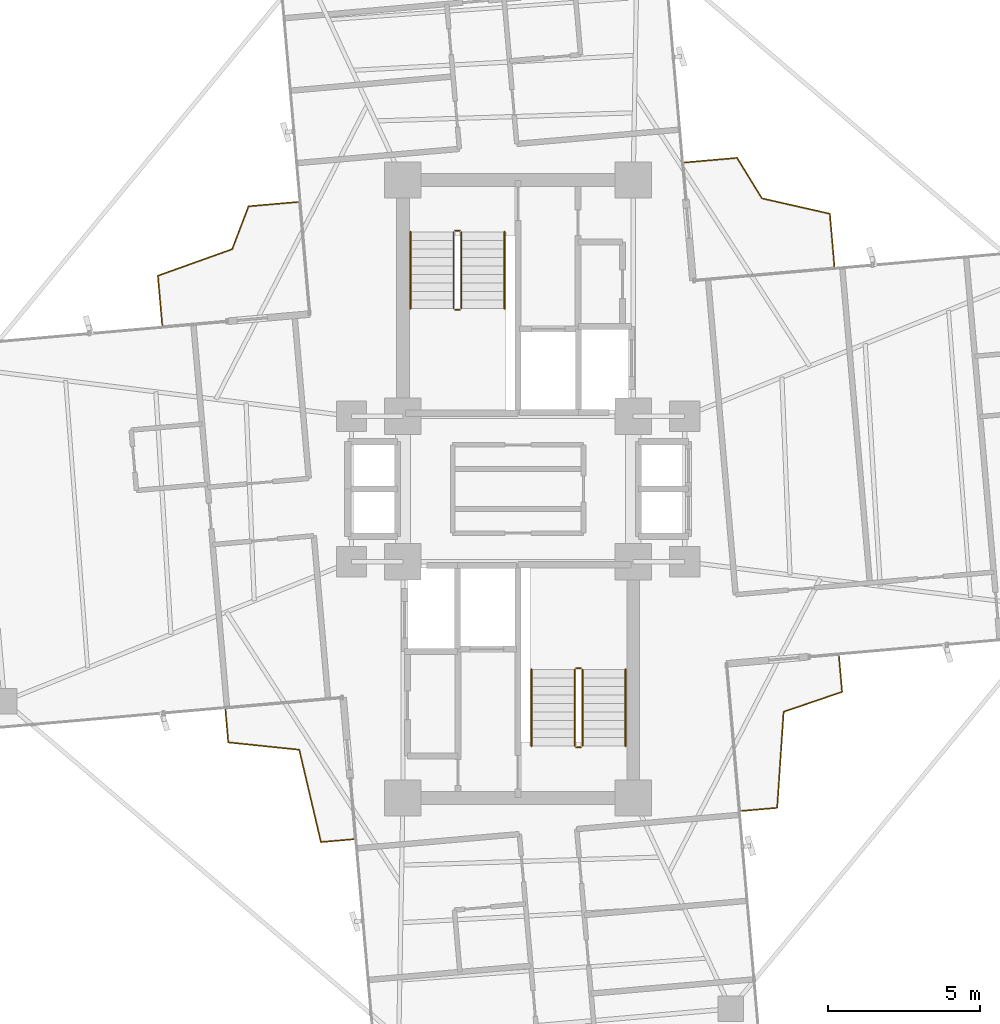
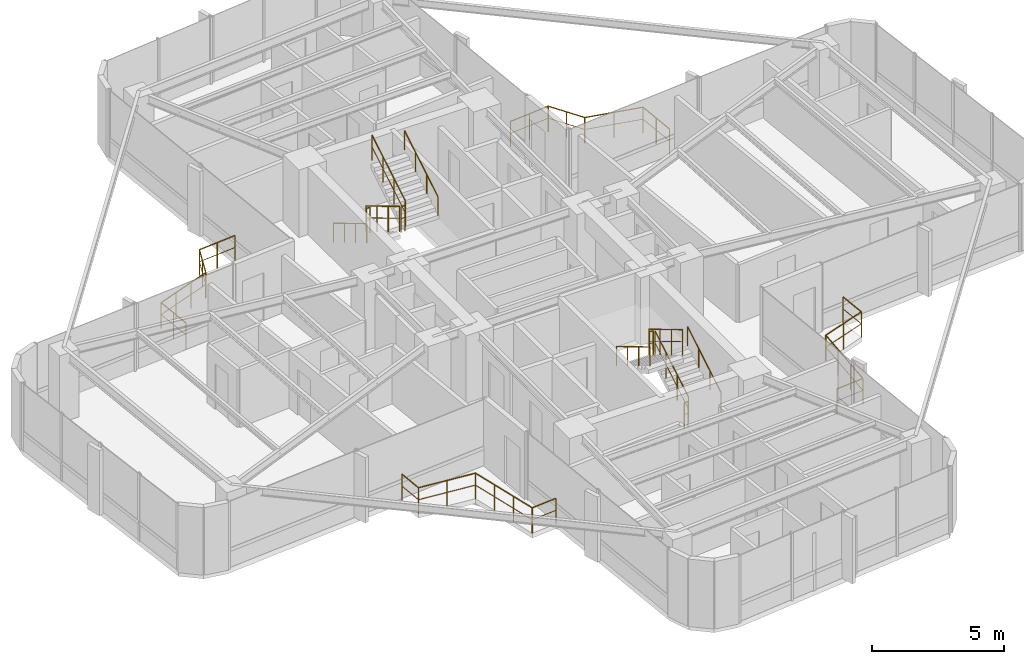
# One storey, part 24 of 24: 16 railings.
"""IFC4 building model written with IfcOpenShell, lengths in metres."""

from ifc_helpers import new_model, si_unit, direction, frame, origin, origin_2d, place, context, subcontext, project, spatial, circle, extrude, material, type_object, element, save


model = new_model("IFC4")

# Units and contexts
model_context = context("Model", 3, precision=1e-05, world=origin(), true_north=direction((0.0, 1.0)))
body_context = subcontext(model_context, "Body", "Model", "MODEL_VIEW")
ifc_project = project(units=[si_unit("LENGTHUNIT", "METRE"), si_unit("AREAUNIT", "SQUARE_METRE"), si_unit("VOLUMEUNIT", "CUBIC_METRE"), si_unit("PLANEANGLEUNIT", "RADIAN"), si_unit("MASSUNIT", "GRAM", prefix="KILO")], contexts=[model_context])

# Site, building, storey
site_placement = place(None, origin())
site = spatial("IfcSite", under=ifc_project, at=site_placement, CompositionType="ELEMENT")
building_placement = place(site_placement, origin())
building = spatial("IfcBuilding", under=site, at=building_placement, Name="Sahyath Konkavel Grand Hotel", CompositionType="ELEMENT")
storey_placement = place(building_placement, frame((0.0, 0.0, 157.300048828125)))
storey = spatial("IfcBuildingStorey", under=building, at=storey_placement, Name="L43", CompositionType="ELEMENT", Elevation=157.300048828125)

# Railings
ifc_material_1 = material(Name="Anodised Bronze Aluminium", Category="aluminium")
railing_type_1 = type_object("IfcRailingType", Name="RLG-BALC-1200", PredefinedType="GUARDRAIL", material=ifc_material_1)
railing_1_placement = place(storey_placement, frame((10.4423828125, 7.34814453125, 0.0)))
element("IfcRailing", 1, at=railing_1_placement, inside=storey, type_object=railing_type_1, Name="L43 Winter-Garden Guard NE", PredefinedType="GUARDRAIL", context=body_context, shape_type="SweptSolid", body=[
    extrude(circle(Radius=0.02392578125, at=origin_2d()), frame((-0.000244140625, 0.001953125, 1.17578125), z_axis=(-0.087239908238, 0.996187330983, 0.0), x_axis=(-0.996187330983, -0.087239908238, 0.0)), (0.0, 0.0, 1.0), 1.739501953125),
    extrude(circle(Radius=0.01416015625, at=origin_2d()), frame((-0.000244140625, 0.001953125, 0.6240234375), z_axis=(-0.087239908238, 0.996187330983, 0.0), x_axis=(-0.996187330983, -0.087239908238, 0.0)), (0.0, 0.0, 1.0), 1.739501953125),
    extrude(circle(Radius=0.02392578125, at=origin_2d()), frame((-0.154052734375, 1.7373046875, 1.17578125), z_axis=(-0.97524546025, 0.221125060229, 0.0), x_axis=(-0.221125060229, -0.97524546025, 0.0)), (0.0, 0.0, 1.0), 2.293701171875),
    extrude(circle(Radius=0.01416015625, at=origin_2d()), frame((-0.154052734375, 1.7373046875, 0.6240234375), z_axis=(-0.97524546025, 0.221125060229, 0.0), x_axis=(-0.221125060229, -0.97524546025, 0.0)), (0.0, 0.0, 1.0), 2.293701171875),
    extrude(circle(Radius=0.02392578125, at=origin_2d()), frame((-2.393798828125, 2.24658203125, 1.17578125), z_axis=(-0.523671648371, 0.851920186809, 0.0), x_axis=(-0.851920186809, -0.523671648371, 0.0)), (0.0, 0.0, 1.0), 1.56396484375),
    extrude(circle(Radius=0.01416015625, at=origin_2d()), frame((-2.393798828125, 2.24658203125, 0.6240234375), z_axis=(-0.523671648371, 0.851920186809, 0.0), x_axis=(-0.851920186809, -0.523671648371, 0.0)), (0.0, 0.0, 1.0), 1.56396484375),
    extrude(circle(Radius=0.02392578125, at=origin_2d()), frame((-3.2158203125, 3.580322265625, 1.17578125), z_axis=(-0.996187330983, -0.087239908238, 0.0), x_axis=(0.087239908238, -0.996187330983, 0.0)), (0.0, 0.0, 1.0), 1.739501953125),
    extrude(circle(Radius=0.01416015625, at=origin_2d()), frame((-3.2158203125, 3.580322265625, 0.6240234375), z_axis=(-0.996187330983, -0.087239908238, 0.0), x_axis=(0.087239908238, -0.996187330983, 0.0)), (0.0, 0.0, 1.0), 1.739501953125),
    extrude(circle(Radius=0.02099609375, at=origin_2d()), origin(), (0.0, 0.0, 1.0), 1.15185546875),
    extrude(circle(Radius=0.02099609375, at=origin_2d()), frame((-0.076171875, 0.868408203125, 0.0)), (0.0, 0.0, 1.0), 1.15185546875),
    extrude(circle(Radius=0.02099609375, at=origin_2d()), frame((-0.152099609375, 1.73681640625, 0.0)), (0.0, 0.0, 1.0), 1.15185546875),
    extrude(circle(Radius=0.02099609375, at=origin_2d()), frame((-1.2724609375, 1.99072265625, 0.0)), (0.0, 0.0, 1.0), 1.15185546875),
    extrude(circle(Radius=0.02099609375, at=origin_2d()), frame((-2.392822265625, 2.244873046875, 0.0)), (0.0, 0.0, 1.0), 1.15185546875),
    extrude(circle(Radius=0.02099609375, at=origin_2d()), frame((-2.80322265625, 2.91259765625, 0.0)), (0.0, 0.0, 1.0), 1.15185546875),
    extrude(circle(Radius=0.02099609375, at=origin_2d()), frame((-3.2138671875, 3.58056640625, 0.0)), (0.0, 0.0, 1.0), 1.15185546875),
    extrude(circle(Radius=0.02099609375, at=origin_2d()), frame((-4.082275390625, 3.50439453125, 0.0)), (0.0, 0.0, 1.0), 1.15185546875),
    extrude(circle(Radius=0.02099609375, at=origin_2d()), frame((-4.95068359375, 3.428466796875, 0.0)), (0.0, 0.0, 1.0), 1.15185546875),
])
railing_2_placement = place(storey_placement, frame((-7.263427734375, 9.47412109375, 0.0)))
element("IfcRailing", 2, at=railing_2_placement, inside=storey, type_object=railing_type_1, Name="L43 Winter-Garden Guard NW", PredefinedType="GUARDRAIL", context=body_context, shape_type="SweptSolid", body=[
    extrude(circle(Radius=0.02392578125, at=origin_2d()), frame((-0.001953125, -0.000244140625, 1.17578125), z_axis=(-0.996192908697, -0.087176193207, 0.0), x_axis=(0.087176193207, -0.996192908697, 0.0)), (0.0, 0.0, 1.0), 1.63427734375),
    extrude(circle(Radius=0.01416015625, at=origin_2d()), frame((-0.001953125, -0.000244140625, 0.6240234375), z_axis=(-0.996192908697, -0.087176193207, 0.0), x_axis=(0.087176193207, -0.996192908697, 0.0)), (0.0, 0.0, 1.0), 1.63427734375),
    extrude(circle(Radius=0.02392578125, at=origin_2d()), frame((-1.6328125, -0.144775390625, 1.17578125), z_axis=(-0.356243445918, -0.934393175939, 0.0), x_axis=(0.934393175939, -0.356243445918, 0.0)), (0.0, 0.0, 1.0), 1.509765625),
    extrude(circle(Radius=0.01416015625, at=origin_2d()), frame((-1.6328125, -0.144775390625, 0.6240234375), z_axis=(-0.356243445918, -0.934393175939, 0.0), x_axis=(0.934393175939, -0.356243445918, 0.0)), (0.0, 0.0, 1.0), 1.509765625),
    extrude(circle(Radius=0.02392578125, at=origin_2d()), frame((-2.17333984375, -1.55810546875, 1.17578125), z_axis=(-0.941570045844, -0.336817233479, 0.0), x_axis=(0.336817233479, -0.941570045844, 0.0)), (0.0, 0.0, 1.0), 2.60107421875),
    extrude(circle(Radius=0.01416015625, at=origin_2d()), frame((-2.17333984375, -1.55810546875, 0.6240234375), z_axis=(-0.941570045844, -0.336817233479, 0.0), x_axis=(0.336817233479, -0.941570045844, 0.0)), (0.0, 0.0, 1.0), 2.60107421875),
    extrude(circle(Radius=0.02392578125, at=origin_2d()), frame((-4.6240234375, -2.436767578125, 1.17578125), z_axis=(0.087163253657, -0.996194040944, 0.0), x_axis=(0.996194040944, 0.087163253657, 0.0)), (0.0, 0.0, 1.0), 1.634521484375),
    extrude(circle(Radius=0.01416015625, at=origin_2d()), frame((-4.6240234375, -2.436767578125, 0.6240234375), z_axis=(0.087163253657, -0.996194040944, 0.0), x_axis=(0.996194040944, 0.087163253657, 0.0)), (0.0, 0.0, 1.0), 1.634521484375),
    extrude(circle(Radius=0.02099609375, at=origin_2d()), origin(), (0.0, 0.0, 1.0), 1.15185546875),
    extrude(circle(Radius=0.02099609375, at=origin_2d()), frame((-0.81591796875, -0.0712890625, 0.0)), (0.0, 0.0, 1.0), 1.15185546875),
    extrude(circle(Radius=0.02099609375, at=origin_2d()), frame((-1.632080078125, -0.142822265625, 0.0)), (0.0, 0.0, 1.0), 1.15185546875),
    extrude(circle(Radius=0.02099609375, at=origin_2d()), frame((-1.90185546875, -0.85009765625, 0.0)), (0.0, 0.0, 1.0), 1.15185546875),
    extrude(circle(Radius=0.02099609375, at=origin_2d()), frame((-2.17138671875, -1.557373046875, 0.0)), (0.0, 0.0, 1.0), 1.15185546875),
    extrude(circle(Radius=0.02099609375, at=origin_2d()), frame((-2.989013671875, -1.849853515625, 0.0)), (0.0, 0.0, 1.0), 1.15185546875),
    extrude(circle(Radius=0.02099609375, at=origin_2d()), frame((-3.806640625, -2.142333984375, 0.0)), (0.0, 0.0, 1.0), 1.15185546875),
    extrude(circle(Radius=0.02099609375, at=origin_2d()), frame((-4.624267578125, -2.434814453125, 0.0)), (0.0, 0.0, 1.0), 1.15185546875),
    extrude(circle(Radius=0.02099609375, at=origin_2d()), frame((-4.552734375, -3.2509765625, 0.0)), (0.0, 0.0, 1.0), 1.15185546875),
    extrude(circle(Radius=0.02099609375, at=origin_2d()), frame((-4.4814453125, -4.067138671875, 0.0)), (0.0, 0.0, 1.0), 1.15185546875),
])
railing_3_placement = place(storey_placement, frame((-9.6591796875, -7.279541015625, 0.0)))
element("IfcRailing", 3, at=railing_3_placement, inside=storey, type_object=railing_type_1, Name="L43 Winter-Garden Guard SW", PredefinedType="GUARDRAIL", context=body_context, shape_type="SweptSolid", body=[
    extrude(circle(Radius=0.02392578125, at=origin_2d()), frame((0.000244140625, -0.001953125, 1.17578125), z_axis=(0.087036162861, -0.996205152744, 0.0), x_axis=(0.996205152744, 0.087036162861, 0.0)), (0.0, 0.0, 1.0), 1.08447265625),
    extrude(circle(Radius=0.01416015625, at=origin_2d()), frame((0.000244140625, -0.001953125, 0.6240234375), z_axis=(0.087036162861, -0.996205152744, 0.0), x_axis=(0.996205152744, 0.087036162861, 0.0)), (0.0, 0.0, 1.0), 1.08447265625),
    extrude(circle(Radius=0.02392578125, at=origin_2d()), frame((0.0966796875, -1.08447265625, 1.17578125), z_axis=(0.994642644346, -0.103373159222, 0.0), x_axis=(0.103373159222, 0.994642644346, 0.0)), (0.0, 0.0, 1.0), 2.3505859375),
    extrude(circle(Radius=0.01416015625, at=origin_2d()), frame((0.0966796875, -1.08447265625, 0.6240234375), z_axis=(0.994642644346, -0.103373159222, 0.0), x_axis=(0.103373159222, 0.994642644346, 0.0)), (0.0, 0.0, 1.0), 2.3505859375),
    extrude(circle(Radius=0.02392578125, at=origin_2d()), frame((2.437255859375, -1.32958984375, 1.17578125), z_axis=(0.228452398729, -0.973555083965, 0.0), x_axis=(0.973555083965, 0.228452398729, 0.0)), (0.0, 0.0, 1.0), 3.126220703125),
    extrude(circle(Radius=0.01416015625, at=origin_2d()), frame((2.437255859375, -1.32958984375, 0.6240234375), z_axis=(0.228452398729, -0.973555083965, 0.0), x_axis=(0.973555083965, 0.228452398729, 0.0)), (0.0, 0.0, 1.0), 3.126220703125),
    extrude(circle(Radius=0.02392578125, at=origin_2d()), frame((3.15380859375, -4.374755859375, 1.17578125), z_axis=(0.996185678389, 0.087258777053, 0.0), x_axis=(-0.087258777053, 0.996185678389, 0.0)), (0.0, 0.0, 1.0), 1.08447265625),
    extrude(circle(Radius=0.01416015625, at=origin_2d()), frame((3.15380859375, -4.374755859375, 0.6240234375), z_axis=(0.996185678389, 0.087258777053, 0.0), x_axis=(-0.087258777053, 0.996185678389, 0.0)), (0.0, 0.0, 1.0), 1.08447265625),
    extrude(circle(Radius=0.02099609375, at=origin_2d()), origin(), (0.0, 0.0, 1.0), 1.15185546875),
    extrude(circle(Radius=0.02099609375, at=origin_2d()), frame((0.0947265625, -1.084228515625, 0.0)), (0.0, 0.0, 1.0), 1.15185546875),
    extrude(circle(Radius=0.02099609375, at=origin_2d()), frame((1.265625, -1.2060546875, 0.0)), (0.0, 0.0, 1.0), 1.15185546875),
    extrude(circle(Radius=0.02099609375, at=origin_2d()), frame((2.436767578125, -1.32763671875, 0.0)), (0.0, 0.0, 1.0), 1.15185546875),
    extrude(circle(Radius=0.02099609375, at=origin_2d()), frame((2.675048828125, -2.343505859375, 0.0)), (0.0, 0.0, 1.0), 1.15185546875),
    extrude(circle(Radius=0.02099609375, at=origin_2d()), frame((2.91357421875, -3.359130859375, 0.0)), (0.0, 0.0, 1.0), 1.15185546875),
    extrude(circle(Radius=0.02099609375, at=origin_2d()), frame((3.15185546875, -4.375, 0.0)), (0.0, 0.0, 1.0), 1.15185546875),
    extrude(circle(Radius=0.02099609375, at=origin_2d()), frame((4.236083984375, -4.280029296875, 0.0)), (0.0, 0.0, 1.0), 1.15185546875),
])
railing_4_placement = place(storey_placement, frame((7.3642578125, -10.627685546875, 0.0)))
element("IfcRailing", 4, at=railing_4_placement, inside=storey, type_object=railing_type_1, Name="L43 Winter-Garden Guard SE", PredefinedType="GUARDRAIL", context=body_context, shape_type="SweptSolid", body=[
    extrude(circle(Radius=0.02392578125, at=origin_2d()), frame((0.001953125, 0.000244140625, 1.17578125), z_axis=(0.996195937523, 0.087141574822, 0.0), x_axis=(-0.087141574822, 0.996195937523, 0.0)), (0.0, 0.0, 1.0), 1.189453125),
    extrude(circle(Radius=0.01416015625, at=origin_2d()), frame((0.001953125, 0.000244140625, 0.6240234375), z_axis=(0.996195937523, 0.087141574822, 0.0), x_axis=(-0.087141574822, 0.996195937523, 0.0)), (0.0, 0.0, 1.0), 1.189453125),
    extrude(circle(Radius=0.02392578125, at=origin_2d()), frame((1.189208984375, 0.10595703125, 1.17578125), z_axis=(0.066804739444, 0.997766068168, 0.0), x_axis=(-0.997766068168, 0.066804739444, 0.0)), (0.0, 0.0, 1.0), 3.171875),
    extrude(circle(Radius=0.01416015625, at=origin_2d()), frame((1.189208984375, 0.10595703125, 0.6240234375), z_axis=(0.066804739444, 0.997766068168, 0.0), x_axis=(-0.997766068168, 0.066804739444, 0.0)), (0.0, 0.0, 1.0), 3.171875),
    extrude(circle(Radius=0.02392578125, at=origin_2d()), frame((1.403076171875, 3.2734375, 1.17578125), z_axis=(0.946469457872, 0.322793378675, 0.0), x_axis=(-0.322793378675, 0.946469457872, 0.0)), (0.0, 0.0, 1.0), 2.03515625),
    extrude(circle(Radius=0.01416015625, at=origin_2d()), frame((1.403076171875, 3.2734375, 0.6240234375), z_axis=(0.946469457872, 0.322793378675, 0.0), x_axis=(-0.322793378675, 0.946469457872, 0.0)), (0.0, 0.0, 1.0), 2.03515625),
    extrude(circle(Radius=0.02392578125, at=origin_2d()), frame((3.330810546875, 3.932861328125, 1.17578125), z_axis=(-0.087141574822, 0.996195937523, 0.0), x_axis=(-0.996195937523, -0.087141574822, 0.0)), (0.0, 0.0, 1.0), 1.189453125),
    extrude(circle(Radius=0.01416015625, at=origin_2d()), frame((3.330810546875, 3.932861328125, 0.6240234375), z_axis=(-0.087141574822, 0.996195937523, 0.0), x_axis=(-0.996195937523, -0.087141574822, 0.0)), (0.0, 0.0, 1.0), 1.189453125),
    extrude(circle(Radius=0.02099609375, at=origin_2d()), origin(), (0.0, 0.0, 1.0), 1.15185546875),
    extrude(circle(Radius=0.02099609375, at=origin_2d()), frame((1.18896484375, 0.10400390625, 0.0)), (0.0, 0.0, 1.0), 1.15185546875),
    extrude(circle(Radius=0.02099609375, at=origin_2d()), frame((1.259765625, 1.16015625, 0.0)), (0.0, 0.0, 1.0), 1.15185546875),
    extrude(circle(Radius=0.02099609375, at=origin_2d()), frame((1.330322265625, 2.216552734375, 0.0)), (0.0, 0.0, 1.0), 1.15185546875),
    extrude(circle(Radius=0.02099609375, at=origin_2d()), frame((1.401123046875, 3.272705078125, 0.0)), (0.0, 0.0, 1.0), 1.15185546875),
    extrude(circle(Radius=0.02099609375, at=origin_2d()), frame((2.3662109375, 3.601806640625, 0.0)), (0.0, 0.0, 1.0), 1.15185546875),
    extrude(circle(Radius=0.02099609375, at=origin_2d()), frame((3.3310546875, 3.930908203125, 0.0)), (0.0, 0.0, 1.0), 1.15185546875),
    extrude(circle(Radius=0.02099609375, at=origin_2d()), frame((3.22705078125, 5.119873046875, 0.0)), (0.0, 0.0, 1.0), 1.15185546875),
])
ifc_material_2 = material(Name="Steel E350", Category="steel")
railing_type_2 = type_object("IfcRailingType", Name="RLG-STAIR-GRD", PredefinedType="GUARDRAIL", material=ifc_material_2)
railing_5_placement = place(storey_placement, frame((-2.1298828125, 8.47998046875, 0.16748046875)))
element("IfcRailing", 5, at=railing_5_placement, inside=storey, type_object=railing_type_2, Name="L43 ST-1 stair guard 1", PredefinedType="GUARDRAIL", context=body_context, shape_type="SweptSolid", body=[
    extrude(circle(Radius=0.02392578125, at=origin_2d()), frame((0.0, -0.001708984375, 1.177001953125), z_axis=(0.0, -0.858159760407, 0.513382728203), x_axis=(1.0, 0.0, 0.0)), (0.0, 0.0, 1.0), 2.9326171875),
    extrude(circle(Radius=0.01416015625, at=origin_2d()), frame((0.0, -0.001708984375, 0.625), z_axis=(0.0, -0.858159760407, 0.513382728203), x_axis=(1.0, 0.0, 0.0)), (0.0, 0.0, 1.0), 2.9326171875),
    extrude(circle(Radius=0.02099609375, at=origin_2d()), origin(), (0.0, 0.0, 1.0), 1.15185546875),
    extrude(circle(Radius=0.02099609375, at=origin_2d()), frame((0.0, -0.840087890625, 0.50244140625)), (0.0, 0.0, 1.0), 1.15185546875),
    extrude(circle(Radius=0.02099609375, at=origin_2d()), frame((0.0, -1.679931640625, 1.005126953125)), (0.0, 0.0, 1.0), 1.15185546875),
    extrude(circle(Radius=0.02099609375, at=origin_2d()), frame((0.0, -2.52001953125, 1.507568359375)), (0.0, 0.0, 1.0), 1.15185546875),
])
railing_6_placement = place(storey_placement, frame((-2.080078125, 5.909912109375, 1.675048828125)))
element("IfcRailing", 6, at=railing_6_placement, inside=storey, type_object=railing_type_2, Name="L43 ST-1 stair guard 2", PredefinedType="GUARDRAIL", context=body_context, shape_type="SweptSolid", body=[
    extrude(circle(Radius=0.02392578125, at=origin_2d()), frame((0.001953125, 0.0, 1.17578125), z_axis=(1.0, 0.0, 0.0), x_axis=(0.0, 1.0, 0.0)), (0.0, 0.0, 1.0), 0.15625),
    extrude(circle(Radius=0.01416015625, at=origin_2d()), frame((0.001953125, 0.0, 0.6240234375), z_axis=(1.0, 0.0, 0.0), x_axis=(0.0, 1.0, 0.0)), (0.0, 0.0, 1.0), 0.15625),
    extrude(circle(Radius=0.02099609375, at=origin_2d()), origin(), (0.0, 0.0, 1.0), 1.15185546875),
    extrude(circle(Radius=0.02099609375, at=origin_2d()), frame((0.16015625, 0.0, 0.0)), (0.0, 0.0, 1.0), 1.15185546875),
])
railing_7_placement = place(storey_placement, frame((-1.8701171875, 5.9599609375, 1.842529296875)))
element("IfcRailing", 7, at=railing_7_placement, inside=storey, type_object=railing_type_2, Name="L43 ST-1 stair guard 3", PredefinedType="GUARDRAIL", context=body_context, shape_type="SweptSolid", body=[
    extrude(circle(Radius=0.02392578125, at=origin_2d()), frame((0.0, 0.001708984375, 1.177001953125), z_axis=(0.0, 0.858196387827, 0.513321497621), x_axis=(-1.0, 0.0, 0.0)), (0.0, 0.0, 1.0), 2.932373046875),
    extrude(circle(Radius=0.01416015625, at=origin_2d()), frame((0.0, 0.001708984375, 0.625), z_axis=(0.0, 0.858196387827, 0.513321497621), x_axis=(-1.0, 0.0, 0.0)), (0.0, 0.0, 1.0), 2.932373046875),
    extrude(circle(Radius=0.02099609375, at=origin_2d()), origin(), (0.0, 0.0, 1.0), 1.15185546875),
    extrude(circle(Radius=0.02099609375, at=origin_2d()), frame((0.0, 0.840087890625, 0.50244140625)), (0.0, 0.0, 1.0), 1.15185546875),
    extrude(circle(Radius=0.02099609375, at=origin_2d()), frame((0.0, 1.679931640625, 1.0048828125)), (0.0, 0.0, 1.0), 1.15185546875),
    extrude(circle(Radius=0.02099609375, at=origin_2d()), frame((0.0, 2.52001953125, 1.50732421875)), (0.0, 0.0, 1.0), 1.15185546875),
])
railing_8_placement = place(storey_placement, frame((-2.080078125, 8.530029296875, 0.0)))
element("IfcRailing", 8, at=railing_8_placement, inside=storey, type_object=railing_type_2, Name="L43 ST-1 stair guard 4", PredefinedType="GUARDRAIL", context=body_context, shape_type="SweptSolid", body=[
    extrude(circle(Radius=0.02392578125, at=origin_2d()), frame((0.001953125, 0.0, 1.17578125), z_axis=(1.0, 0.0, 0.0), x_axis=(0.0, 1.0, 0.0)), (0.0, 0.0, 1.0), 0.15625),
    extrude(circle(Radius=0.01416015625, at=origin_2d()), frame((0.001953125, 0.0, 0.6240234375), z_axis=(1.0, 0.0, 0.0), x_axis=(0.0, 1.0, 0.0)), (0.0, 0.0, 1.0), 0.15625),
    extrude(circle(Radius=0.02099609375, at=origin_2d()), origin(), (0.0, 0.0, 1.0), 1.15185546875),
    extrude(circle(Radius=0.02099609375, at=origin_2d()), frame((0.16015625, 0.0, 0.0)), (0.0, 0.0, 1.0), 1.15185546875),
])
railing_9_placement = place(storey_placement, frame((2.1298828125, -8.47998046875, 0.16748046875)))
element("IfcRailing", 9, at=railing_9_placement, inside=storey, type_object=railing_type_2, Name="L43 ST-2 stair guard 1", PredefinedType="GUARDRAIL", context=body_context, shape_type="SweptSolid", body=[
    extrude(circle(Radius=0.02392578125, at=origin_2d()), frame((0.0, 0.001708984375, 1.177001953125), z_axis=(0.0, 0.858159760407, 0.513382728203), x_axis=(-1.0, 0.0, 0.0)), (0.0, 0.0, 1.0), 2.9326171875),
    extrude(circle(Radius=0.01416015625, at=origin_2d()), frame((0.0, 0.001708984375, 0.625), z_axis=(0.0, 0.858159760407, 0.513382728203), x_axis=(-1.0, 0.0, 0.0)), (0.0, 0.0, 1.0), 2.9326171875),
    extrude(circle(Radius=0.02099609375, at=origin_2d()), origin(), (0.0, 0.0, 1.0), 1.15185546875),
    extrude(circle(Radius=0.02099609375, at=origin_2d()), frame((0.0, 0.840087890625, 0.50244140625)), (0.0, 0.0, 1.0), 1.15185546875),
    extrude(circle(Radius=0.02099609375, at=origin_2d()), frame((0.0, 1.679931640625, 1.005126953125)), (0.0, 0.0, 1.0), 1.15185546875),
    extrude(circle(Radius=0.02099609375, at=origin_2d()), frame((0.0, 2.52001953125, 1.507568359375)), (0.0, 0.0, 1.0), 1.15185546875),
])
railing_10_placement = place(storey_placement, frame((2.080078125, -5.909912109375, 1.675048828125)))
element("IfcRailing", 10, at=railing_10_placement, inside=storey, type_object=railing_type_2, Name="L43 ST-2 stair guard 2", PredefinedType="GUARDRAIL", context=body_context, shape_type="SweptSolid", body=[
    extrude(circle(Radius=0.02392578125, at=origin_2d()), frame((-0.001953125, 0.0, 1.17578125), z_axis=(-1.0, 0.0, 0.0), x_axis=(0.0, -1.0, 0.0)), (0.0, 0.0, 1.0), 0.15625),
    extrude(circle(Radius=0.01416015625, at=origin_2d()), frame((-0.001953125, 0.0, 0.6240234375), z_axis=(-1.0, 0.0, 0.0), x_axis=(0.0, -1.0, 0.0)), (0.0, 0.0, 1.0), 0.15625),
    extrude(circle(Radius=0.02099609375, at=origin_2d()), origin(), (0.0, 0.0, 1.0), 1.15185546875),
    extrude(circle(Radius=0.02099609375, at=origin_2d()), frame((-0.16015625, 0.0, 0.0)), (0.0, 0.0, 1.0), 1.15185546875),
])
railing_11_placement = place(storey_placement, frame((1.8701171875, -5.9599609375, 1.842529296875)))
element("IfcRailing", 11, at=railing_11_placement, inside=storey, type_object=railing_type_2, Name="L43 ST-2 stair guard 3", PredefinedType="GUARDRAIL", context=body_context, shape_type="SweptSolid", body=[
    extrude(circle(Radius=0.02392578125, at=origin_2d()), frame((0.0, -0.001708984375, 1.177001953125), z_axis=(0.0, -0.858196387827, 0.513321497621), x_axis=(1.0, 0.0, 0.0)), (0.0, 0.0, 1.0), 2.932373046875),
    extrude(circle(Radius=0.01416015625, at=origin_2d()), frame((0.0, -0.001708984375, 0.625), z_axis=(0.0, -0.858196387827, 0.513321497621), x_axis=(1.0, 0.0, 0.0)), (0.0, 0.0, 1.0), 2.932373046875),
    extrude(circle(Radius=0.02099609375, at=origin_2d()), origin(), (0.0, 0.0, 1.0), 1.15185546875),
    extrude(circle(Radius=0.02099609375, at=origin_2d()), frame((0.0, -0.840087890625, 0.50244140625)), (0.0, 0.0, 1.0), 1.15185546875),
    extrude(circle(Radius=0.02099609375, at=origin_2d()), frame((0.0, -1.679931640625, 1.0048828125)), (0.0, 0.0, 1.0), 1.15185546875),
    extrude(circle(Radius=0.02099609375, at=origin_2d()), frame((0.0, -2.52001953125, 1.50732421875)), (0.0, 0.0, 1.0), 1.15185546875),
])
railing_12_placement = place(storey_placement, frame((2.080078125, -8.530029296875, 0.0)))
element("IfcRailing", 12, at=railing_12_placement, inside=storey, type_object=railing_type_2, Name="L43 ST-2 stair guard 4", PredefinedType="GUARDRAIL", context=body_context, shape_type="SweptSolid", body=[
    extrude(circle(Radius=0.02392578125, at=origin_2d()), frame((-0.001953125, 0.0, 1.17578125), z_axis=(-1.0, 0.0, 0.0), x_axis=(0.0, -1.0, 0.0)), (0.0, 0.0, 1.0), 0.15625),
    extrude(circle(Radius=0.01416015625, at=origin_2d()), frame((-0.001953125, 0.0, 0.6240234375), z_axis=(-1.0, 0.0, 0.0), x_axis=(0.0, -1.0, 0.0)), (0.0, 0.0, 1.0), 0.15625),
    extrude(circle(Radius=0.02099609375, at=origin_2d()), origin(), (0.0, 0.0, 1.0), 1.15185546875),
    extrude(circle(Radius=0.02099609375, at=origin_2d()), frame((-0.16015625, 0.0, 0.0)), (0.0, 0.0, 1.0), 1.15185546875),
])
railing_type_3 = type_object("IfcRailingType", Name="RLG-STAIR-HND", PredefinedType="HANDRAIL", material=ifc_material_1)
railing_13_placement = place(storey_placement, frame((-3.550048828125, 8.47998046875, 0.16748046875)))
element("IfcRailing", 13, at=railing_13_placement, inside=storey, type_object=railing_type_3, Name="L43 ST-1 stair handrail 1", PredefinedType="HANDRAIL", context=body_context, shape_type="SweptSolid", body=[
    extrude(circle(Radius=0.02392578125, at=origin_2d()), frame((0.0, -0.001708984375, 0.876953125), z_axis=(0.0, -0.858159760407, 0.513382728203), x_axis=(1.0, 0.0, 0.0)), (0.0, 0.0, 1.0), 2.9326171875),
    extrude(circle(Radius=0.02099609375, at=origin_2d()), origin(), (0.0, 0.0, 1.0), 0.851806640625),
    extrude(circle(Radius=0.02099609375, at=origin_2d()), frame((0.0, -0.840087890625, 0.50244140625)), (0.0, 0.0, 1.0), 0.851806640625),
    extrude(circle(Radius=0.02099609375, at=origin_2d()), frame((0.0, -1.679931640625, 1.005126953125)), (0.0, 0.0, 1.0), 0.851806640625),
    extrude(circle(Radius=0.02099609375, at=origin_2d()), frame((0.0, -2.52001953125, 1.507568359375)), (0.0, 0.0, 1.0), 0.851806640625),
])
railing_14_placement = place(storey_placement, frame((-0.449951171875, 5.9599609375, 1.842529296875)))
element("IfcRailing", 14, at=railing_14_placement, inside=storey, type_object=railing_type_3, Name="L43 ST-1 stair handrail 2", PredefinedType="HANDRAIL", context=body_context, shape_type="SweptSolid", body=[
    extrude(circle(Radius=0.02392578125, at=origin_2d()), frame((0.0, 0.001708984375, 0.876953125), z_axis=(0.0, 0.858196387827, 0.513321497621), x_axis=(-1.0, 0.0, 0.0)), (0.0, 0.0, 1.0), 2.932373046875),
    extrude(circle(Radius=0.02099609375, at=origin_2d()), origin(), (0.0, 0.0, 1.0), 0.851806640625),
    extrude(circle(Radius=0.02099609375, at=origin_2d()), frame((0.0, 0.840087890625, 0.50244140625)), (0.0, 0.0, 1.0), 0.851806640625),
    extrude(circle(Radius=0.02099609375, at=origin_2d()), frame((0.0, 1.679931640625, 1.0048828125)), (0.0, 0.0, 1.0), 0.851806640625),
    extrude(circle(Radius=0.02099609375, at=origin_2d()), frame((0.0, 2.52001953125, 1.50732421875)), (0.0, 0.0, 1.0), 0.851806640625),
])
railing_15_placement = place(storey_placement, frame((3.550048828125, -8.47998046875, 0.16748046875)))
element("IfcRailing", 15, at=railing_15_placement, inside=storey, type_object=railing_type_3, Name="L43 ST-2 stair handrail 1", PredefinedType="HANDRAIL", context=body_context, shape_type="SweptSolid", body=[
    extrude(circle(Radius=0.02392578125, at=origin_2d()), frame((0.0, 0.001708984375, 0.876953125), z_axis=(0.0, 0.858159760407, 0.513382728203), x_axis=(-1.0, 0.0, 0.0)), (0.0, 0.0, 1.0), 2.9326171875),
    extrude(circle(Radius=0.02099609375, at=origin_2d()), origin(), (0.0, 0.0, 1.0), 0.851806640625),
    extrude(circle(Radius=0.02099609375, at=origin_2d()), frame((0.0, 0.840087890625, 0.50244140625)), (0.0, 0.0, 1.0), 0.851806640625),
    extrude(circle(Radius=0.02099609375, at=origin_2d()), frame((0.0, 1.679931640625, 1.005126953125)), (0.0, 0.0, 1.0), 0.851806640625),
    extrude(circle(Radius=0.02099609375, at=origin_2d()), frame((0.0, 2.52001953125, 1.507568359375)), (0.0, 0.0, 1.0), 0.851806640625),
])
railing_16_placement = place(storey_placement, frame((0.449951171875, -5.9599609375, 1.842529296875)))
element("IfcRailing", 16, at=railing_16_placement, inside=storey, type_object=railing_type_3, Name="L43 ST-2 stair handrail 2", PredefinedType="HANDRAIL", context=body_context, shape_type="SweptSolid", body=[
    extrude(circle(Radius=0.02392578125, at=origin_2d()), frame((0.0, -0.001708984375, 0.876953125), z_axis=(0.0, -0.858196387827, 0.513321497621), x_axis=(1.0, 0.0, 0.0)), (0.0, 0.0, 1.0), 2.932373046875),
    extrude(circle(Radius=0.02099609375, at=origin_2d()), origin(), (0.0, 0.0, 1.0), 0.851806640625),
    extrude(circle(Radius=0.02099609375, at=origin_2d()), frame((0.0, -0.840087890625, 0.50244140625)), (0.0, 0.0, 1.0), 0.851806640625),
    extrude(circle(Radius=0.02099609375, at=origin_2d()), frame((0.0, -1.679931640625, 1.0048828125)), (0.0, 0.0, 1.0), 0.851806640625),
    extrude(circle(Radius=0.02099609375, at=origin_2d()), frame((0.0, -2.52001953125, 1.50732421875)), (0.0, 0.0, 1.0), 0.851806640625),
])

save(model, "model.ifc")
